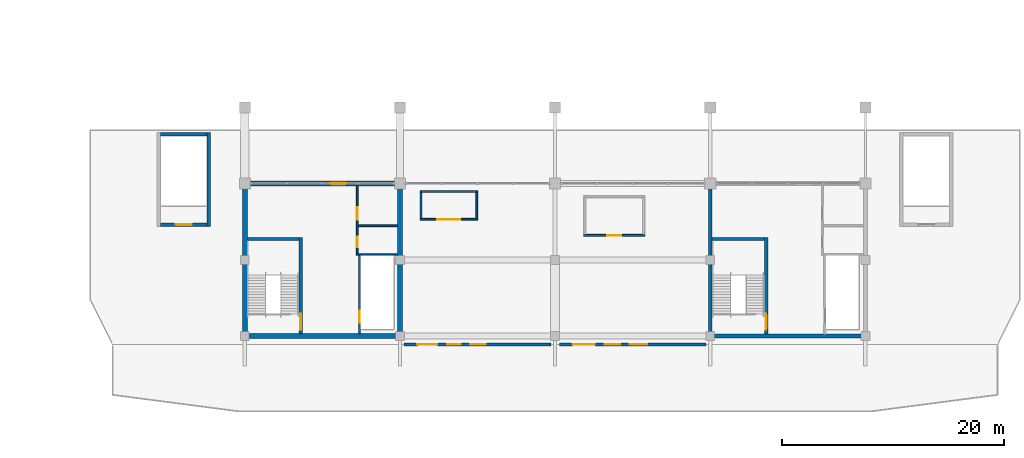
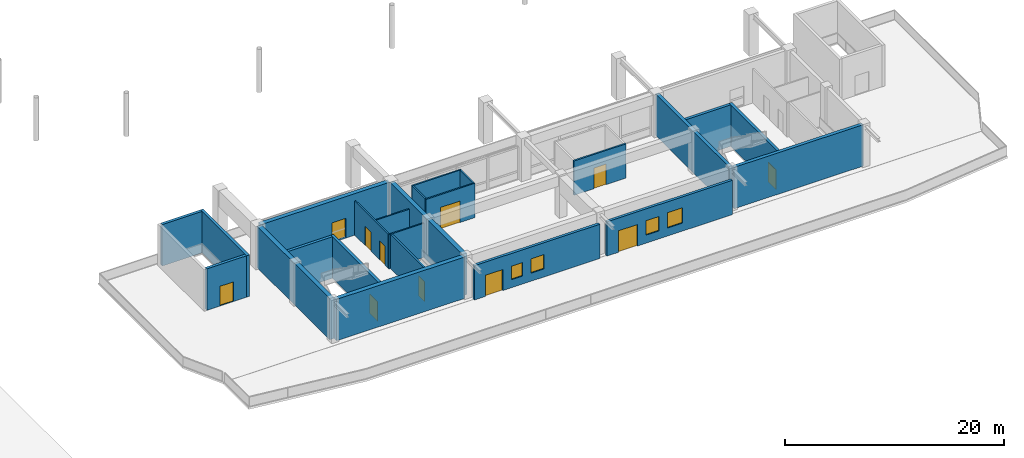
# One storey, part 64 of 91: 24 walls, 11 doors, 4 windows, 15 openings.
"""IFC4 building model written with IfcOpenShell, lengths in metres."""

import ifcopenshell
import ifcopenshell.guid

model = None  # the IFC model being written
_history = None  # IfcOwnerHistory: only IFC2X3 demands one
_inside = {}  # id of a spatial element -> (the spatial element, [elements in it])
_under = {}  # id of a project, library or spatial element -> (it, [spatial elements below it])
_declared = {}  # id of a project -> (the project, [libraries it declares])
_typed = {}  # id of a type object -> (the type object, [elements of that type])
_made_of = {}  # id of a material, layer set ... -> (it, [elements and type objects made of it])


def new_model(schema):
    """Start an empty IFC model of exactly this schema.

    Asked for "IFC4X3", IfcOpenShell would pick the latest addendum, in which some entities
    have other attributes; the version numbers below select the first issue.
    IFC2X3 requires an IfcOwnerHistory on every rooted entity: one is made here for all.
    """
    global model, _history
    if schema == "IFC4X3":
        model = ifcopenshell.file(schema_version=(4, 3, 0, 0))
    else:
        model = ifcopenshell.file(schema=schema)
    _inside.clear()
    _under.clear()
    _declared.clear()
    _typed.clear()
    _made_of.clear()
    _history = None
    if model.schema == "IFC2X3":
        org = make("IfcOrganization", Name="unknown")
        user = make(
            "IfcPersonAndOrganization",
            ThePerson=make("IfcPerson", FamilyName="unknown"),
            TheOrganization=org,
        )
        app = make(
            "IfcApplication",
            ApplicationDeveloper=org,
            Version="unknown",
            ApplicationFullName="unknown",
            ApplicationIdentifier="unknown",
        )
        _history = make(
            "IfcOwnerHistory",
            OwningUser=user,
            OwningApplication=app,
            ChangeAction="ADDED",
            CreationDate=0,
        )
    return model


def make(cls, **values):
    """One entity of the class cls with the attributes given. An attribute that is None is left unset."""
    return model.create_entity(
        cls, **{name: value for name, value in values.items() if value is not None}
    )


def rooted(cls, **values):
    """An entity with a GlobalId (a new one), such as an element, a storey or a relation."""
    return make(cls, GlobalId=ifcopenshell.guid.new(), OwnerHistory=_history, **values)


def si_unit(unit_type, name, prefix=None):
    """IfcSIUnit, for example si_unit("LENGTHUNIT", "METRE", prefix="MILLI")."""
    return make("IfcSIUnit", UnitType=unit_type, Prefix=prefix, Name=name)


def assignment(units):
    """IfcUnitAssignment: the units of a project."""
    return None if units is None else make("IfcUnitAssignment", Units=units)


def point(xyz):
    """IfcCartesianPoint."""
    return None if xyz is None else make("IfcCartesianPoint", Coordinates=xyz)


def direction(xyz):
    """IfcDirection."""
    return None if xyz is None else make("IfcDirection", DirectionRatios=xyz)


def frame(location, z_axis=None, x_axis=None):
    """IfcAxis2Placement3D, a coordinate frame: its origin and axes. An axis left out is left unset."""
    return make(
        "IfcAxis2Placement3D",
        Location=point(location),
        Axis=direction(z_axis),
        RefDirection=direction(x_axis),
    )


def frame_2d(location, x_axis=None):
    """IfcAxis2Placement2D, a coordinate frame in the plane: its origin and x axis."""
    return make(
        "IfcAxis2Placement2D", Location=point(location), RefDirection=direction(x_axis)
    )


def origin():
    """The frame at (0, 0, 0) with its axes left unset."""
    return frame((0.0, 0.0, 0.0))


def place(relative_to, where):
    """IfcLocalPlacement: puts the frame where relative to a parent placement (None: the world)."""
    return make(
        "IfcLocalPlacement", PlacementRelTo=relative_to, RelativePlacement=where
    )


def context(
    kind, dimensions, precision=None, world=None, true_north=None, identifier=None
):
    """IfcGeometricRepresentationContext, for example the 3D "Model" context."""
    return make(
        "IfcGeometricRepresentationContext",
        ContextIdentifier=identifier,
        ContextType=kind,
        CoordinateSpaceDimension=dimensions,
        Precision=precision,
        WorldCoordinateSystem=world,
        TrueNorth=true_north,
    )


def subcontext(parent, identifier, kind, view, scale=None):
    """IfcGeometricRepresentationSubContext, for example "Body" below "Model"."""
    return make(
        "IfcGeometricRepresentationSubContext",
        ContextIdentifier=identifier,
        ContextType=kind,
        ParentContext=parent,
        TargetScale=scale,
        TargetView=view,
    )


def project(units=None, contexts=None):
    """IfcProject with its units and contexts."""
    return rooted(
        "IfcProject",
        Name="project",
        RepresentationContexts=contexts,
        UnitsInContext=assignment(units),
    )


def spatial(cls, under=None, at=None, **own):
    """A site, building, storey or space (cls), placed at a placement, below another one or the project."""
    s = rooted(cls, ObjectPlacement=at, **own)
    if under is not None:
        _under.setdefault(under.id(), (under, []))[1].append(s)
    return s


def profile(cls, at=None, kind="AREA", **sizes):
    """A parametric profile (cls). Its sizes go by their IFC names, for example OverallWidth=200.0."""
    return make(cls, ProfileType=kind, Position=at, **sizes)


def rectangle(**sizes):
    """IfcRectangleProfileDef."""
    return profile("IfcRectangleProfileDef", **sizes)


def extrude(swept, where, along, depth):
    """IfcExtrudedAreaSolid: the profile swept, set in the frame where, extruded along a direction by depth."""
    return make(
        "IfcExtrudedAreaSolid",
        SweptArea=swept,
        Position=where,
        ExtrudedDirection=direction(along),
        Depth=depth,
    )


def shape(context_of_items, identifier, shape_type, items):
    """IfcShapeRepresentation: the items that make up one representation, for example the "Body"."""
    return make(
        "IfcShapeRepresentation",
        ContextOfItems=context_of_items,
        RepresentationIdentifier=identifier,
        RepresentationType=shape_type,
        Items=items,
    )


def material(Name=None, Category=None):
    """IfcMaterial."""
    return make("IfcMaterial", Name=Name, Category=Category)


def layer(
    of_material, thickness, ventilated=None, Name=None, Category=None, Priority=None
):
    """IfcMaterialLayer: one layer of a wall or slab, of a material (None: an air gap)."""
    return make(
        "IfcMaterialLayer",
        Material=of_material,
        LayerThickness=thickness,
        IsVentilated=ventilated,
        Name=Name,
        Category=Category,
        Priority=Priority,
    )


def layer_set(layers, Name=None):
    """IfcMaterialLayerSet."""
    return make("IfcMaterialLayerSet", MaterialLayers=layers, LayerSetName=Name)


def made_of(thing, what):
    """Note that an element or type object is made of a material, layer set ...; save() writes the relation."""
    if what is not None:
        _made_of.setdefault(what.id(), (what, []))[1].append(thing)
    return thing


def type_object(cls, material=None, **own):
    """A type object (cls), such as IfcWallType, which elements share."""
    return made_of(rooted(cls, **own), material)


def element(
    cls,
    number,
    at=None,
    inside=None,
    cuts=None,
    type_object=None,
    material=None,
    context=None,
    identifier="Body",
    shape_type=None,
    held_by="IfcProductDefinitionShape",
    body=None,
    shapes=None,
    **own,
):
    """One element of the class cls, such as IfcWall. Its Tag is "e" and its number.

    at: its placement. inside: the storey or other place that contains it. cuts: it is an
    opening in that element (IfcRelVoidsElement). A single representation is given by context,
    identifier, shape_type and body (its items); several are given by shapes. held_by: the class
    of the entity that holds the representations. save() writes the other relations.
    """
    e = rooted(cls, Tag="e%d" % number, ObjectPlacement=at, **own)
    if body is not None:
        shapes = [shape(context, identifier, shape_type, body)]
    if shapes is not None:
        e.Representation = make(held_by, Representations=shapes)
    if inside is not None:
        _inside.setdefault(inside.id(), (inside, []))[1].append(e)
    if cuts is not None:
        rooted(
            "IfcRelVoidsElement", RelatingBuildingElement=cuts, RelatedOpeningElement=e
        )
    if type_object is not None:
        _typed.setdefault(type_object.id(), (type_object, []))[1].append(e)
    return made_of(e, material)


def fill(opening, filler):
    """IfcRelFillsElement: the door or window that sits in an opening."""
    return rooted(
        "IfcRelFillsElement",
        RelatingOpeningElement=opening,
        RelatedBuildingElement=filler,
    )


def aggregate(whole, parts):
    """IfcRelAggregates: a whole, such as a stair, and the parts it consists of."""
    return rooted("IfcRelAggregates", RelatingObject=whole, RelatedObjects=parts)


def save(model, path):
    """Write the relations noted so far, then the file.

    IfcRelAggregates (storeys below a building ...), IfcRelContainedInSpatialStructure (elements
    in a storey), IfcRelDefinesByType, IfcRelAssociatesMaterial and IfcRelDeclares: one each for
    every whole, place, type object, material and project.
    """
    for whole, parts in _under.values():
        aggregate(whole, parts)
    for where, things in _inside.values():
        rooted(
            "IfcRelContainedInSpatialStructure",
            RelatedElements=things,
            RelatingStructure=where,
        )
    for kind, things in _typed.values():
        rooted("IfcRelDefinesByType", RelatedObjects=things, RelatingType=kind)
    for what, things in _made_of.values():
        rooted("IfcRelAssociatesMaterial", RelatedObjects=things, RelatingMaterial=what)
    for by, libraries in _declared.values():
        rooted("IfcRelDeclares", RelatingContext=by, RelatedDefinitions=libraries)
    model.write(path)


model = new_model("IFC4")

# Units and contexts
model_context = context("Model", 3, precision=1e-05, world=origin(), true_north=direction((0.0, 1.0)))
body_context = subcontext(model_context, "Body", "Model", "MODEL_VIEW")
ifc_project = project(units=[si_unit("LENGTHUNIT", "METRE"), si_unit("AREAUNIT", "SQUARE_METRE"), si_unit("VOLUMEUNIT", "CUBIC_METRE"), si_unit("PLANEANGLEUNIT", "RADIAN"), si_unit("MASSUNIT", "GRAM", prefix="KILO")], contexts=[model_context])

# Site, building, storey
site_placement = place(None, origin())
site = spatial("IfcSite", under=ifc_project, at=site_placement, CompositionType="ELEMENT")
building_placement = place(site_placement, origin())
building = spatial("IfcBuilding", under=site, at=building_placement, Name="Linyun Crest Stadium", CompositionType="ELEMENT")
storey_placement = place(building_placement, frame((0.0, 0.0, 11.39990234375)))
storey = spatial("IfcBuildingStorey", under=building, at=storey_placement, Name="L03", CompositionType="ELEMENT", Elevation=11.39990234375)

# Walls
ifc_material_1 = material(Name="Concrete C50", Category="concrete")
ifc_layer_1 = layer(ifc_material_1, 0.35009765625)
ifc_layer_set_1 = layer_set([ifc_layer_1], Name="Concrete C50")
wall_type_1 = type_object("IfcWallType", Name="CW01", PredefinedType="SHEAR", material=ifc_layer_set_1)
wall_1_placement = place(storey_placement, frame((14.0, -87.074951171875, 0.0), z_axis=(0.0, 0.0, 1.0), x_axis=(0.0, 1.0, 0.0)))
element("IfcWall", 1, at=wall_1_placement, inside=storey, type_object=wall_type_1, Name="Core shear wall CW01 CORE-S2 L03.1", PredefinedType="SHEAR", context=body_context, shape_type="SweptSolid", body=[
    extrude(rectangle(XDim=13.39990234375, YDim=0.35009765625, at=frame_2d((6.699951171875, 0.0))), origin(), (0.0, 0.0, 1.0), 4.6201171875),
])
wall_2_placement = place(storey_placement, frame((14.175048828125, -87.25, 0.0), z_axis=(0.0, 0.0, 1.0), x_axis=(1.0, 0.0, 0.0)))
element("IfcWall", 2, at=wall_2_placement, inside=storey, type_object=wall_type_1, Name="Core shear wall CW01 CORE-S2 L03.3", PredefinedType="SHEAR", context=body_context, shape_type="SweptSolid", body=[
    extrude(rectangle(XDim=13.64990234375, YDim=0.35009765625, at=frame_2d((6.824951171875, 0.0))), origin(), (0.0, 0.0, 1.0), 4.6201171875),
])
ifc_material_2 = material(Name="Concrete C50", Category="concrete")
ifc_layer_2 = layer(ifc_material_2, 0.449951171875)
ifc_layer_set_2 = layer_set([ifc_layer_2], Name="Concrete C50")
wall_type_2 = type_object("IfcWallType", Name="CW03", PredefinedType="SHEAR", material=ifc_layer_set_2)
for number, where, z_axis, x_axis, name in (
    (3, (-28.0, -87.02490234375, 0.0), (0.0, 0.0, 1.0), (0.0, 1.0, 0.0), "Core shear wall CW03 CORE-S1 L03.1"),
    (4, (-14.0, -87.02490234375, 0.0), (0.0, 0.0, 1.0), (0.0, 1.0, 0.0), "Core shear wall CW03 CORE-S1 L03.2"),
):
    element("IfcWall", number, at=place(storey_placement, frame(where, z_axis=z_axis, x_axis=x_axis)), inside=storey, type_object=wall_type_2, Name=name, PredefinedType="SHEAR", context=body_context, shape_type="SweptSolid", body=[
        extrude(rectangle(XDim=13.2998046875, YDim=0.449951171875, at=frame_2d((6.64990234375, 0.0))), origin(), (0.0, 0.0, 1.0), 4.6201171875),
    ])
wall_3_placement = place(storey_placement, frame((-27.77490234375, -87.25, 0.0), z_axis=(0.0, 0.0, 1.0), x_axis=(1.0, 0.0, 0.0)))
element("IfcWall", 5, at=wall_3_placement, inside=storey, type_object=wall_type_2, Name="Core shear wall CW03 CORE-S1 L03.3", PredefinedType="SHEAR", context=body_context, shape_type="SweptSolid", body=[
    extrude(rectangle(XDim=13.5498046875, YDim=0.449951171875, at=frame_2d((6.77490234375, 0.0))), origin(), (0.0, 0.0, 1.0), 4.6201171875),
])

# Wall, opening, door
wall_4_placement = place(storey_placement, frame((-27.77490234375, -73.5, 0.0), z_axis=(0.0, 0.0, 1.0), x_axis=(1.0, 0.0, 0.0)))
wall_4 = element("IfcWall", 6, at=wall_4_placement, inside=storey, type_object=wall_type_2, Name="Core shear wall CW03 CORE-S1 L03.4", PredefinedType="SHEAR", context=body_context, shape_type="SweptSolid", body=[
    extrude(rectangle(XDim=13.5498046875, YDim=0.449951171875, at=frame_2d((6.77490234375, 0.0))), origin(), (0.0, 0.0, 1.0), 4.6201171875),
])
opening_1_placement = place(wall_4_placement, frame((7.451904296875, 0.0, 0.0)))
opening_1 = element("IfcOpeningElement", 7, at=opening_1_placement, cuts=wall_4, Name="Opening D-L03-331", PredefinedType="OPENING", context=body_context, shape_type="SweptSolid", body=[
    extrude(rectangle(XDim=1.5, YDim=2.199951171875, at=frame_2d((0.75, 1.10009765625))), frame((0.0, 0.23486328125, 0.0), z_axis=(0.0, -1.0, 0.0), x_axis=(1.0, 0.0, 0.0)), (0.0, 0.0, 1.0), 0.469970703125),
])
ifc_material_3 = material(Name="Galvanized steel Class A fire door", Category="steel")
ifc_layer_3 = layer(ifc_material_3, 0.054931640625)
ifc_layer_set_3 = layer_set([ifc_layer_3], Name="Galvanized steel Class A fire door")
door_type_1 = type_object("IfcDoorType", Name="FD01", OperationType="NOTDEFINED", PredefinedType="DOOR", material=ifc_layer_set_3)
door_1_placement = place(opening_1_placement, origin())
door_1 = element("IfcDoor", 8, at=door_1_placement, inside=storey, type_object=door_type_1, Name="Door D-L03-331", OperationType="SINGLE_SWING_LEFT", OverallHeight=2.199951171875, OverallWidth=1.5, PredefinedType="DOOR", context=body_context, shape_type="SweptSolid", body=[
    extrude(rectangle(XDim=1.5, YDim=2.199951171875, at=frame_2d((0.75, 1.10009765625))), frame((0.0, 0.02490234375, 0.0), z_axis=(0.0, -1.0, 0.0), x_axis=(1.0, 0.0, 0.0)), (0.0, 0.0, 1.0), 0.050048828125),
])
fill(opening_1, door_1)

# Wall, openings, door, windows
ifc_material_4 = material(Name="Concrete C40 with celadon ceramic faience", Category="concrete")
ifc_layer_4 = layer(ifc_material_4, 0.280029296875)
ifc_layer_set_4 = layer_set([ifc_layer_4], Name="Concrete C40 with celadon ceramic faience")
wall_type_3 = type_object("IfcWallType", Name="EW03", PredefinedType="SOLIDWALL", material=ifc_layer_set_4)
wall_5_placement = place(storey_placement, frame((-13.6201171875, -88.0, 0.0), z_axis=(0.0, 0.0, 1.0), x_axis=(1.0, 0.0, 0.0)))
wall_5 = element("IfcWall", 9, at=wall_5_placement, inside=storey, type_object=wall_type_3, Name="Exterior wall EW03 L03 62", PredefinedType="SOLIDWALL", context=body_context, shape_type="SweptSolid", body=[
    extrude(rectangle(XDim=13.240234375, YDim=0.280029296875, at=frame_2d((6.6201171875, 0.0))), origin(), (0.0, 0.0, 1.0), 3.820068359375),
])
opening_2_placement = place(wall_5_placement, frame((1.199951171875, 0.0, 0.0)))
opening_2 = element("IfcOpeningElement", 10, at=opening_2_placement, cuts=wall_5, Name="Opening BD-L03-01", PredefinedType="OPENING", context=body_context, shape_type="SweptSolid", body=[
    extrude(rectangle(XDim=1.800048828125, YDim=2.35009765625, at=frame_2d((0.89990234375, 1.175048828125))), frame((0.0, 0.14990234375, 0.0), z_axis=(0.0, -1.0, 0.0), x_axis=(1.0, 0.0, 0.0)), (0.0, 0.0, 1.0), 0.300048828125),
])
opening_3_placement = place(wall_5_placement, frame((3.89990234375, 0.0, 0.89990234375)))
opening_3 = element("IfcOpeningElement", 11, at=opening_3_placement, cuts=wall_5, Name="Opening WN07", PredefinedType="OPENING", context=body_context, shape_type="SweptSolid", body=[
    extrude(rectangle(XDim=1.199951171875, YDim=1.5, at=frame_2d((0.60009765625, 0.75))), frame((0.0, 0.14990234375, 0.0), z_axis=(0.0, -1.0, 0.0), x_axis=(1.0, 0.0, 0.0)), (0.0, 0.0, 1.0), 0.300048828125),
])
opening_4_placement = place(wall_5_placement, frame((5.949951171875, 0.0, 0.89990234375)))
opening_4 = element("IfcOpeningElement", 12, at=opening_4_placement, cuts=wall_5, Name="Opening WN08", PredefinedType="OPENING", context=body_context, shape_type="SweptSolid", body=[
    extrude(rectangle(XDim=1.39990234375, YDim=1.60009765625, at=frame_2d((0.699951171875, 0.800048828125))), frame((0.0, 0.14990234375, 0.0), z_axis=(0.0, -1.0, 0.0), x_axis=(1.0, 0.0, 0.0)), (0.0, 0.0, 1.0), 0.300048828125),
])
ifc_material_5 = material(Name="Thermally broken aluminium and low-E glass", Category="aluminium")
ifc_layer_5 = layer(ifc_material_5, 0.054931640625)
ifc_layer_set_5 = layer_set([ifc_layer_5], Name="Thermally broken aluminium and low-E glass")
door_type_2 = type_object("IfcDoorType", Name="BD01", OperationType="NOTDEFINED", PredefinedType="DOOR", material=ifc_layer_set_5)
door_2_placement = place(opening_2_placement, origin())
door_2 = element("IfcDoor", 13, at=door_2_placement, inside=storey, type_object=door_type_2, Name="Terrace door BD-L03-01", OperationType="SINGLE_SWING_LEFT", OverallHeight=2.35009765625, OverallWidth=1.800048828125, PredefinedType="DOOR", context=body_context, shape_type="SweptSolid", body=[
    extrude(rectangle(XDim=1.800048828125, YDim=2.35009765625, at=frame_2d((0.89990234375, 1.175048828125))), frame((0.0, 0.02490234375, 0.0), z_axis=(0.0, -1.0, 0.0), x_axis=(1.0, 0.0, 0.0)), (0.0, 0.0, 1.0), 0.050048828125),
])
fill(opening_2, door_2)
ifc_material_6 = material(Name="Aluminium operable ventilation window", Category="aluminium")
ifc_layer_6 = layer(ifc_material_6, 0.06005859375)
ifc_layer_set_6 = layer_set([ifc_layer_6], Name="Aluminium operable ventilation window")
window_type_1 = type_object("IfcWindowType", Name="WN07", PartitioningType="SINGLE_PANEL", PredefinedType="WINDOW", material=ifc_layer_set_6)
window_1_placement = place(opening_3_placement, origin())
window_1 = element("IfcWindow", 14, at=window_1_placement, inside=storey, type_object=window_type_1, Name="Window WN07 L03 33", OverallHeight=1.5, OverallWidth=1.199951171875, PartitioningType="SINGLE_PANEL", PredefinedType="WINDOW", context=body_context, shape_type="SweptSolid", body=[
    extrude(rectangle(XDim=1.199951171875, YDim=1.5, at=frame_2d((0.60009765625, 0.75))), frame((0.0, 0.030029296875, 0.0), z_axis=(0.0, -1.0, 0.0), x_axis=(1.0, 0.0, 0.0)), (0.0, 0.0, 1.0), 0.06005859375),
])
fill(opening_3, window_1)
ifc_material_7 = material(Name="Aluminium operable ventilation window", Category="aluminium")
ifc_layer_7 = layer(ifc_material_7, 0.06005859375)
ifc_layer_set_7 = layer_set([ifc_layer_7], Name="Aluminium operable ventilation window")
window_type_2 = type_object("IfcWindowType", Name="WN08", PartitioningType="SINGLE_PANEL", PredefinedType="WINDOW", material=ifc_layer_set_7)
window_2_placement = place(opening_4_placement, origin())
window_2 = element("IfcWindow", 15, at=window_2_placement, inside=storey, type_object=window_type_2, Name="Window WN08 L03 34", OverallHeight=1.60009765625, OverallWidth=1.39990234375, PartitioningType="SINGLE_PANEL", PredefinedType="WINDOW", context=body_context, shape_type="SweptSolid", body=[
    extrude(rectangle(XDim=1.39990234375, YDim=1.60009765625, at=frame_2d((0.699951171875, 0.800048828125))), frame((0.0, 0.030029296875, 0.0), z_axis=(0.0, -1.0, 0.0), x_axis=(1.0, 0.0, 0.0)), (0.0, 0.0, 1.0), 0.06005859375),
])
fill(opening_4, window_2)

wall_6_placement = place(storey_placement, frame((0.3798828125, -88.0, 0.0), z_axis=(0.0, 0.0, 1.0), x_axis=(1.0, 0.0, 0.0)))
wall_6 = element("IfcWall", 16, at=wall_6_placement, inside=storey, type_object=wall_type_3, Name="Exterior wall EW03 L03 63", PredefinedType="SOLIDWALL", context=body_context, shape_type="SweptSolid", body=[
    extrude(rectangle(XDim=13.240234375, YDim=0.280029296875, at=frame_2d((6.6201171875, 0.0))), origin(), (0.0, 0.0, 1.0), 3.820068359375),
])
opening_5_placement = place(wall_6_placement, frame((1.199951171875, 0.0, 0.0)))
opening_5 = element("IfcOpeningElement", 17, at=opening_5_placement, cuts=wall_6, Name="Opening BD-L03-02", PredefinedType="OPENING", context=body_context, shape_type="SweptSolid", body=[
    extrude(rectangle(XDim=2.0, YDim=2.39990234375, at=frame_2d((1.0, 1.199951171875))), frame((0.0, 0.14990234375, 0.0), z_axis=(0.0, -1.0, 0.0), x_axis=(1.0, 0.0, 0.0)), (0.0, 0.0, 1.0), 0.300048828125),
])
opening_6_placement = place(wall_6_placement, frame((4.10009765625, 0.0, 0.89990234375)))
opening_6 = element("IfcOpeningElement", 18, at=opening_6_placement, cuts=wall_6, Name="Opening WN08", PredefinedType="OPENING", context=body_context, shape_type="SweptSolid", body=[
    extrude(rectangle(XDim=1.39990234375, YDim=1.60009765625, at=frame_2d((0.699951171875, 0.800048828125))), frame((0.0, 0.14990234375, 0.0), z_axis=(0.0, -1.0, 0.0), x_axis=(1.0, 0.0, 0.0)), (0.0, 0.0, 1.0), 0.300048828125),
])
opening_7_placement = place(wall_6_placement, frame((6.35009765625, 0.0, 0.89990234375)))
opening_7 = element("IfcOpeningElement", 19, at=opening_7_placement, cuts=wall_6, Name="Opening WN09", PredefinedType="OPENING", context=body_context, shape_type="SweptSolid", body=[
    extrude(rectangle(XDim=1.60009765625, YDim=1.699951171875, at=frame_2d((0.800048828125, 0.85009765625))), frame((0.0, 0.14990234375, 0.0), z_axis=(0.0, -1.0, 0.0), x_axis=(1.0, 0.0, 0.0)), (0.0, 0.0, 1.0), 0.300048828125),
])
ifc_material_8 = material(Name="Thermally broken aluminium and low-E glass", Category="aluminium")
ifc_layer_8 = layer(ifc_material_8, 0.054931640625)
ifc_layer_set_8 = layer_set([ifc_layer_8], Name="Thermally broken aluminium and low-E glass")
door_type_3 = type_object("IfcDoorType", Name="BD02", OperationType="NOTDEFINED", PredefinedType="DOOR", material=ifc_layer_set_8)
door_3_placement = place(opening_5_placement, origin())
door_3 = element("IfcDoor", 20, at=door_3_placement, inside=storey, type_object=door_type_3, Name="Terrace door BD-L03-02", OperationType="SINGLE_SWING_RIGHT", OverallHeight=2.39990234375, OverallWidth=2.0, PredefinedType="DOOR", context=body_context, shape_type="SweptSolid", body=[
    extrude(rectangle(XDim=2.0, YDim=2.39990234375, at=frame_2d((1.0, 1.199951171875))), frame((0.0, 0.02490234375, 0.0), z_axis=(0.0, -1.0, 0.0), x_axis=(1.0, 0.0, 0.0)), (0.0, 0.0, 1.0), 0.050048828125),
])
fill(opening_5, door_3)
window_3_placement = place(opening_6_placement, origin())
window_3 = element("IfcWindow", 21, at=window_3_placement, inside=storey, type_object=window_type_2, Name="Window WN08 L03 35", OverallHeight=1.60009765625, OverallWidth=1.39990234375, PartitioningType="SINGLE_PANEL", PredefinedType="WINDOW", context=body_context, shape_type="SweptSolid", body=[
    extrude(rectangle(XDim=1.39990234375, YDim=1.60009765625, at=frame_2d((0.699951171875, 0.800048828125))), frame((0.0, 0.030029296875, 0.0), z_axis=(0.0, -1.0, 0.0), x_axis=(1.0, 0.0, 0.0)), (0.0, 0.0, 1.0), 0.06005859375),
])
fill(opening_6, window_3)
ifc_material_9 = material(Name="Aluminium operable ventilation window", Category="aluminium")
ifc_layer_9 = layer(ifc_material_9, 0.06005859375)
ifc_layer_set_9 = layer_set([ifc_layer_9], Name="Aluminium operable ventilation window")
window_type_3 = type_object("IfcWindowType", Name="WN09", PartitioningType="SINGLE_PANEL", PredefinedType="WINDOW", material=ifc_layer_set_9)
window_4_placement = place(opening_7_placement, origin())
window_4 = element("IfcWindow", 22, at=window_4_placement, inside=storey, type_object=window_type_3, Name="Window WN09 L03 36", OverallHeight=1.699951171875, OverallWidth=1.60009765625, PartitioningType="SINGLE_PANEL", PredefinedType="WINDOW", context=body_context, shape_type="SweptSolid", body=[
    extrude(rectangle(XDim=1.60009765625, YDim=1.699951171875, at=frame_2d((0.800048828125, 0.85009765625))), frame((0.0, 0.030029296875, 0.0), z_axis=(0.0, -1.0, 0.0), x_axis=(1.0, 0.0, 0.0)), (0.0, 0.0, 1.0), 0.06005859375),
])
fill(opening_7, window_4)

# Wall, opening, door
ifc_material_10 = material(Name="Autoclaved aerated concrete block fire partition", Category="concrete")
ifc_layer_10 = layer(ifc_material_10, 0.179931640625)
ifc_layer_set_10 = layer_set([ifc_layer_10], Name="Autoclaved aerated concrete block fire partition")
wall_type_4 = type_object("IfcWallType", Name="PW12", PredefinedType="PARTITIONING", material=ifc_layer_set_10)
wall_7_placement = place(storey_placement, frame((-17.64990234375, -87.02490234375, 0.0), z_axis=(0.0, 0.0, 1.0), x_axis=(0.0, 1.0, 0.0)))
wall_7 = element("IfcWall", 23, at=wall_7_placement, inside=storey, type_object=wall_type_4, Name="Partition PW12 L03 117", PredefinedType="PARTITIONING", context=body_context, shape_type="SweptSolid", body=[
    extrude(rectangle(XDim=7.054931640625, YDim=0.179931640625, at=frame_2d((3.52734375, 0.0))), origin(), (0.0, 0.0, 1.0), 3.820068359375),
])
opening_8_placement = place(wall_7_placement, frame((0.97509765625, 0.0, 0.0)))
opening_8 = element("IfcOpeningElement", 24, at=opening_8_placement, cuts=wall_7, Name="Opening LD100", PredefinedType="OPENING", context=body_context, shape_type="SweptSolid", body=[
    extrude(rectangle(XDim=1.10009765625, YDim=2.199951171875, at=frame_2d((0.550048828125, 1.10009765625))), frame((0.0, 0.099853515625, 0.0), z_axis=(0.0, -1.0, 0.0), x_axis=(1.0, 0.0, 0.0)), (0.0, 0.0, 1.0), 0.199951171875),
])
ifc_material_11 = material(Name="Brushed stainless sliding lift door")
ifc_layer_11 = layer(ifc_material_11, 0.050048828125)
ifc_layer_set_11 = layer_set([ifc_layer_11], Name="Brushed stainless sliding lift door")
door_type_4 = type_object("IfcDoorType", Name="LD01", OperationType="NOTDEFINED", PredefinedType="DOOR", material=ifc_layer_set_11)
door_4_placement = place(opening_8_placement, origin())
door_4 = element("IfcDoor", 25, at=door_4_placement, inside=storey, type_object=door_type_4, Name="Lift landing door LD100", OperationType="DOUBLE_DOOR_SLIDING", OverallHeight=2.199951171875, OverallWidth=1.10009765625, PredefinedType="DOOR", context=body_context, shape_type="SweptSolid", body=[
    extrude(rectangle(XDim=1.10009765625, YDim=2.199951171875, at=frame_2d((0.550048828125, 1.10009765625))), frame((0.0, 0.02490234375, 0.0), z_axis=(0.0, -1.0, 0.0), x_axis=(1.0, 0.0, 0.0)), (0.0, 0.0, 1.0), 0.050048828125),
])
fill(opening_8, door_4)

# Wall, openings, doors
ifc_material_12 = material(Name="Moisture-resistant ceramic-tiled wet-room wall")
ifc_layer_12 = layer(ifc_material_12, 0.139892578125)
ifc_layer_set_12 = layer_set([ifc_layer_12], Name="Moisture-resistant ceramic-tiled wet-room wall")
wall_type_5 = type_object("IfcWallType", Name="PW15", PredefinedType="PARTITIONING", material=ifc_layer_set_12)
wall_8_placement = place(storey_placement, frame((-17.85009765625, -79.830078125, 0.0), z_axis=(0.0, 0.0, 1.0), x_axis=(0.0, 1.0, 0.0)))
wall_8 = element("IfcWall", 26, at=wall_8_placement, inside=storey, type_object=wall_type_5, Name="Partition PW15 L03 118", PredefinedType="PARTITIONING", context=body_context, shape_type="SweptSolid", body=[
    extrude(rectangle(XDim=6.10498046875, YDim=0.139892578125, at=frame_2d((3.052490234375, 0.0))), origin(), (0.0, 0.0, 1.0), 3.820068359375),
])
opening_9_placement = place(wall_8_placement, frame((0.580078125, 0.0, 0.0)))
opening_9 = element("IfcOpeningElement", 27, at=opening_9_placement, cuts=wall_8, Name="Opening D-L03-334", PredefinedType="OPENING", context=body_context, shape_type="SweptSolid", body=[
    extrude(rectangle(XDim=0.949951171875, YDim=2.14990234375, at=frame_2d((0.47509765625, 1.074951171875))), frame((0.0, 0.079833984375, 0.0), z_axis=(0.0, -1.0, 0.0), x_axis=(1.0, 0.0, 0.0)), (0.0, 0.0, 1.0), 0.159912109375),
])
opening_10_placement = place(wall_8_placement, frame((3.080078125, 0.0, 0.0)))
opening_10 = element("IfcOpeningElement", 28, at=opening_10_placement, cuts=wall_8, Name="Opening D-L03-335", PredefinedType="OPENING", context=body_context, shape_type="SweptSolid", body=[
    extrude(rectangle(XDim=1.10009765625, YDim=2.14990234375, at=frame_2d((0.550048828125, 1.074951171875))), frame((0.0, 0.079833984375, 0.0), z_axis=(0.0, -1.0, 0.0), x_axis=(1.0, 0.0, 0.0)), (0.0, 0.0, 1.0), 0.159912109375),
])
ifc_material_13 = material(Name="Moisture-resistant laminate leaf")
ifc_layer_13 = layer(ifc_material_13, 0.044921875)
ifc_layer_set_13 = layer_set([ifc_layer_13], Name="Moisture-resistant laminate leaf")
door_type_5 = type_object("IfcDoorType", Name="ID02", OperationType="NOTDEFINED", PredefinedType="DOOR", material=ifc_layer_set_13)
door_5_placement = place(opening_9_placement, origin())
door_5 = element("IfcDoor", 29, at=door_5_placement, inside=storey, type_object=door_type_5, Name="Door D-L03-334", OperationType="SINGLE_SWING_RIGHT", OverallHeight=2.14990234375, OverallWidth=0.949951171875, PredefinedType="DOOR", context=body_context, shape_type="SweptSolid", body=[
    extrude(rectangle(XDim=0.949951171875, YDim=2.14990234375, at=frame_2d((0.47509765625, 1.074951171875))), frame((0.0, 0.02490234375, 0.0), z_axis=(0.0, -1.0, 0.0), x_axis=(1.0, 0.0, 0.0)), (0.0, 0.0, 1.0), 0.050048828125),
])
fill(opening_9, door_5)
ifc_material_14 = material(Name="Moisture-resistant laminate leaf")
ifc_layer_14 = layer(ifc_material_14, 0.044921875)
ifc_layer_set_14 = layer_set([ifc_layer_14], Name="Moisture-resistant laminate leaf")
door_type_6 = type_object("IfcDoorType", Name="ID03", OperationType="NOTDEFINED", PredefinedType="DOOR", material=ifc_layer_set_14)
door_6_placement = place(opening_10_placement, origin())
door_6 = element("IfcDoor", 30, at=door_6_placement, inside=storey, type_object=door_type_6, Name="Door D-L03-335", OperationType="SINGLE_SWING_LEFT", OverallHeight=2.14990234375, OverallWidth=1.10009765625, PredefinedType="DOOR", context=body_context, shape_type="SweptSolid", body=[
    extrude(rectangle(XDim=1.10009765625, YDim=2.14990234375, at=frame_2d((0.550048828125, 1.074951171875))), frame((0.0, 0.02490234375, 0.0), z_axis=(0.0, -1.0, 0.0), x_axis=(1.0, 0.0, 0.0)), (0.0, 0.0, 1.0), 0.050048828125),
])
fill(opening_10, door_6)

# Walls
wall_9_placement = place(storey_placement, frame((-17.919921875, -79.89990234375, 0.0), z_axis=(0.0, 0.0, 1.0), x_axis=(1.0, 0.0, 0.0)))
element("IfcWall", 31, at=wall_9_placement, inside=storey, type_object=wall_type_5, Name="Enclosure partition PW15 L03 109", PredefinedType="PARTITIONING", context=body_context, shape_type="SweptSolid", body=[
    extrude(rectangle(XDim=3.69482421875, YDim=0.139892578125, at=frame_2d((1.847412109375, 0.0))), origin(), (0.0, 0.0, 1.0), 3.820068359375),
])
wall_10_placement = place(storey_placement, frame((-17.780029296875, -77.300048828125, 0.0), z_axis=(0.0, 0.0, 1.0), x_axis=(1.0, 0.0, 0.0)))
element("IfcWall", 32, at=wall_10_placement, inside=storey, type_object=wall_type_5, Name="Enclosure partition PW15 L03 110", PredefinedType="PARTITIONING", context=body_context, shape_type="SweptSolid", body=[
    extrude(rectangle(XDim=3.554931640625, YDim=0.139892578125, at=frame_2d((1.77734375, 0.0))), origin(), (0.0, 0.0, 1.0), 3.820068359375),
])

# Wall, opening, door
ifc_material_15 = material(Name="Medical and doping-control hygienic partition")
ifc_layer_15 = layer(ifc_material_15, 0.155029296875)
ifc_layer_set_15 = layer_set([ifc_layer_15], Name="Medical and doping-control hygienic partition")
wall_type_6 = type_object("IfcWallType", Name="PW23", PredefinedType="PARTITIONING", material=ifc_layer_set_15)
wall_11_placement = place(storey_placement, frame((-6.9970703125, -76.717041015625, 0.0), z_axis=(0.0, 0.0, 1.0), x_axis=(-1.0, 0.0, 0.0)))
wall_11 = element("IfcWall", 33, at=wall_11_placement, inside=storey, type_object=wall_type_6, Name="Partition PW23 L03 212", PredefinedType="PARTITIONING", context=body_context, shape_type="SweptSolid", body=[
    extrude(rectangle(XDim=5.179931640625, YDim=0.155029296875, at=frame_2d((2.58984375, 0.0))), origin(), (0.0, 0.0, 1.0), 3.820068359375),
])
opening_11_placement = place(wall_11_placement, frame((1.56494140625, 0.0, 0.0)))
opening_11 = element("IfcOpeningElement", 34, at=opening_11_placement, cuts=wall_11, Name="Opening D-L03-475", PredefinedType="OPENING", context=body_context, shape_type="SweptSolid", body=[
    extrude(rectangle(XDim=2.050048828125, YDim=2.39990234375, at=frame_2d((1.02490234375, 1.199951171875))), frame((0.0, 0.08740234375, 0.0), z_axis=(0.0, -1.0, 0.0), x_axis=(1.0, 0.0, 0.0)), (0.0, 0.0, 1.0), 0.175048828125),
])
ifc_material_16 = material(Name="Double-leaf glazed aluminium door", Category="aluminium")
ifc_layer_16 = layer(ifc_material_16, 0.054931640625)
ifc_layer_set_16 = layer_set([ifc_layer_16], Name="Double-leaf glazed aluminium door")
door_type_7 = type_object("IfcDoorType", Name="ID07", OperationType="NOTDEFINED", PredefinedType="DOOR", material=ifc_layer_set_16)
door_7_placement = place(opening_11_placement, origin())
door_7 = element("IfcDoor", 35, at=door_7_placement, inside=storey, type_object=door_type_7, Name="Door D-L03-475", OperationType="DOUBLE_DOOR_SINGLE_SWING", OverallHeight=2.39990234375, OverallWidth=2.050048828125, PredefinedType="DOOR", context=body_context, shape_type="SweptSolid", body=[
    extrude(rectangle(XDim=2.050048828125, YDim=2.39990234375, at=frame_2d((1.02490234375, 1.199951171875))), frame((0.0, 0.02490234375, 0.0), z_axis=(0.0, -1.0, 0.0), x_axis=(1.0, 0.0, 0.0)), (0.0, 0.0, 1.0), 0.050048828125),
])
fill(opening_11, door_7)

# Walls
wall_12_placement = place(storey_placement, frame((-12.177001953125, -74.217041015625, 0.0), z_axis=(0.0, 0.0, 1.0), x_axis=(1.0, 0.0, 0.0)))
element("IfcWall", 36, at=wall_12_placement, inside=storey, type_object=wall_type_6, Name="Enclosure partition PW23 L03 352", PredefinedType="PARTITIONING", context=body_context, shape_type="SweptSolid", body=[
    extrude(rectangle(XDim=5.179931640625, YDim=0.155029296875, at=frame_2d((2.58984375, 0.0))), origin(), (0.0, 0.0, 1.0), 3.820068359375),
])
for number, where, z_axis, x_axis, name in (
    (37, (-12.09912109375, -76.638916015625, 0.0), (0.0, 0.0, 1.0), (0.0, 1.0, 0.0), "Enclosure partition PW23 L03 353"),
    (38, (-7.074951171875, -76.638916015625, 0.0), (0.0, 0.0, 1.0), (0.0, 1.0, 0.0), "Enclosure partition PW23 L03 354"),
):
    element("IfcWall", number, at=place(storey_placement, frame(where, z_axis=z_axis, x_axis=x_axis)), inside=storey, type_object=wall_type_6, Name=name, PredefinedType="PARTITIONING", context=body_context, shape_type="SweptSolid", body=[
        extrude(rectangle(XDim=2.343994140625, YDim=0.155029296875, at=frame_2d((1.171875, 0.0))), origin(), (0.0, 0.0, 1.0), 3.820068359375),
    ])

# Wall, opening, door
ifc_material_17 = material(Name="Concourse concession fire-rated masonry wall", Category="masonry")
ifc_layer_17 = layer(ifc_material_17, 0.175048828125)
ifc_layer_set_17 = layer_set([ifc_layer_17], Name="Concourse concession fire-rated masonry wall")
wall_type_7 = type_object("IfcWallType", Name="PW24", PredefinedType="PARTITIONING", material=ifc_layer_set_17)
wall_13_placement = place(storey_placement, frame((8.076904296875, -78.159912109375, 0.0), z_axis=(0.0, 0.0, 1.0), x_axis=(-1.0, 0.0, 0.0)))
wall_13 = element("IfcWall", 39, at=wall_13_placement, inside=storey, type_object=wall_type_7, Name="Partition PW24 L03 213", PredefinedType="PARTITIONING", context=body_context, shape_type="SweptSolid", body=[
    extrude(rectangle(XDim=5.469970703125, YDim=0.175048828125, at=frame_2d((2.73486328125, 0.0))), origin(), (0.0, 0.0, 1.0), 3.820068359375),
])
opening_12_placement = place(wall_13_placement, frame((2.0849609375, 0.0, 0.0)))
opening_12 = element("IfcOpeningElement", 40, at=opening_12_placement, cuts=wall_13, Name="Opening D-L03-476", PredefinedType="OPENING", context=body_context, shape_type="SweptSolid", body=[
    extrude(rectangle(XDim=1.300048828125, YDim=2.300048828125, at=frame_2d((0.64990234375, 1.14990234375))), frame((0.0, 0.097412109375, 0.0), z_axis=(0.0, -1.0, 0.0), x_axis=(1.0, 0.0, 0.0)), (0.0, 0.0, 1.0), 0.195068359375),
])
ifc_material_18 = material(Name="High-STC acoustic steel studio door", Category="steel")
ifc_layer_18 = layer(ifc_material_18, 0.06494140625)
ifc_layer_set_18 = layer_set([ifc_layer_18], Name="High-STC acoustic steel studio door")
door_type_8 = type_object("IfcDoorType", Name="ID08", OperationType="NOTDEFINED", PredefinedType="DOOR", material=ifc_layer_set_18)
door_8_placement = place(opening_12_placement, origin())
door_8 = element("IfcDoor", 41, at=door_8_placement, inside=storey, type_object=door_type_8, Name="Door D-L03-476", OperationType="SINGLE_SWING_RIGHT", OverallHeight=2.300048828125, OverallWidth=1.300048828125, PredefinedType="DOOR", context=body_context, shape_type="SweptSolid", body=[
    extrude(rectangle(XDim=1.300048828125, YDim=2.300048828125, at=frame_2d((0.64990234375, 1.14990234375))), frame((0.0, 0.02490234375, 0.0), z_axis=(0.0, -1.0, 0.0), x_axis=(1.0, 0.0, 0.0)), (0.0, 0.0, 1.0), 0.050048828125),
])
fill(opening_12, door_8)

ifc_material_19 = material(Name="Concrete C50", Category="concrete")
ifc_layer_19 = layer(ifc_material_19, 0.300048828125)
ifc_layer_set_19 = layer_set([ifc_layer_19], Name="Concrete C50")
wall_type_8 = type_object("IfcWallType", Name="SW01", PredefinedType="SHEAR", material=ifc_layer_set_19)
wall_14_placement = place(storey_placement, frame((-22.949951171875, -87.02490234375, 0.0), z_axis=(0.0, 0.0, 1.0), x_axis=(0.0, 1.0, 0.0)))
wall_14 = element("IfcWall", 42, at=wall_14_placement, inside=storey, type_object=wall_type_8, Name="Core stair east bearing wall SW01 9 L03", PredefinedType="SHEAR", context=body_context, shape_type="SweptSolid", body=[
    extrude(rectangle(XDim=8.6748046875, YDim=0.300048828125, at=frame_2d((4.33740234375, 0.0))), origin(), (0.0, 0.0, 1.0), 4.6201171875),
])
opening_13_placement = place(wall_14_placement, frame((0.344970703125, 0.0, 0.0)))
opening_13 = element("IfcOpeningElement", 43, at=opening_13_placement, cuts=wall_14, Name="Opening D-L03-332", PredefinedType="OPENING", context=body_context, shape_type="SweptSolid", body=[
    extrude(rectangle(XDim=1.449951171875, YDim=2.199951171875, at=frame_2d((0.72509765625, 1.10009765625))), frame((0.0, 0.159912109375, 0.0), z_axis=(0.0, -1.0, 0.0), x_axis=(1.0, 0.0, 0.0)), (0.0, 0.0, 1.0), 0.320068359375),
])
ifc_material_20 = material(Name="Galvanized steel Class A fire door", Category="steel")
ifc_layer_20 = layer(ifc_material_20, 0.054931640625)
ifc_layer_set_20 = layer_set([ifc_layer_20], Name="Galvanized steel Class A fire door")
door_type_9 = type_object("IfcDoorType", Name="FD02", OperationType="NOTDEFINED", PredefinedType="DOOR", material=ifc_layer_set_20)
door_9_placement = place(opening_13_placement, origin())
door_9 = element("IfcDoor", 44, at=door_9_placement, inside=storey, type_object=door_type_9, Name="Door D-L03-332", OperationType="SINGLE_SWING_RIGHT", OverallHeight=2.199951171875, OverallWidth=1.449951171875, PredefinedType="DOOR", context=body_context, shape_type="SweptSolid", body=[
    extrude(rectangle(XDim=1.449951171875, YDim=2.199951171875, at=frame_2d((0.72509765625, 1.10009765625))), frame((0.0, 0.02490234375, 0.0), z_axis=(0.0, -1.0, 0.0), x_axis=(1.0, 0.0, 0.0)), (0.0, 0.0, 1.0), 0.050048828125),
])
fill(opening_13, door_9)

wall_15_placement = place(storey_placement, frame((19.050048828125, -87.074951171875, 0.0), z_axis=(0.0, 0.0, 1.0), x_axis=(0.0, 1.0, 0.0)))
wall_15 = element("IfcWall", 45, at=wall_15_placement, inside=storey, type_object=wall_type_8, Name="Core stair east bearing wall SW01 10 L03", PredefinedType="SHEAR", context=body_context, shape_type="SweptSolid", body=[
    extrude(rectangle(XDim=8.724853515625, YDim=0.300048828125, at=frame_2d((4.3623046875, 0.0))), origin(), (0.0, 0.0, 1.0), 4.6201171875),
])
opening_14_placement = place(wall_15_placement, frame((0.39501953125, 0.0, 0.0)))
opening_14 = element("IfcOpeningElement", 46, at=opening_14_placement, cuts=wall_15, Name="Opening D-L03-357", PredefinedType="OPENING", context=body_context, shape_type="SweptSolid", body=[
    extrude(rectangle(XDim=1.449951171875, YDim=2.199951171875, at=frame_2d((0.72509765625, 1.10009765625))), frame((0.0, 0.159912109375, 0.0), z_axis=(0.0, -1.0, 0.0), x_axis=(1.0, 0.0, 0.0)), (0.0, 0.0, 1.0), 0.320068359375),
])
door_10_placement = place(opening_14_placement, origin())
door_10 = element("IfcDoor", 47, at=door_10_placement, inside=storey, type_object=door_type_9, Name="Door D-L03-357", OperationType="SINGLE_SWING_LEFT", OverallHeight=2.199951171875, OverallWidth=1.449951171875, PredefinedType="DOOR", context=body_context, shape_type="SweptSolid", body=[
    extrude(rectangle(XDim=1.449951171875, YDim=2.199951171875, at=frame_2d((0.72509765625, 1.10009765625))), frame((0.0, 0.02490234375, 0.0), z_axis=(0.0, -1.0, 0.0), x_axis=(1.0, 0.0, 0.0)), (0.0, 0.0, 1.0), 0.050048828125),
])
fill(opening_14, door_10)

# Walls
wall_16_placement = place(storey_placement, frame((-27.77490234375, -78.5, 0.0), z_axis=(0.0, 0.0, 1.0), x_axis=(1.0, 0.0, 0.0)))
element("IfcWall", 48, at=wall_16_placement, inside=storey, type_object=wall_type_8, Name="Core stair bearing wall SW01 9 L03", PredefinedType="SHEAR", context=body_context, shape_type="SweptSolid", body=[
    extrude(rectangle(XDim=4.6748046875, YDim=0.300048828125, at=frame_2d((2.33740234375, 0.0))), origin(), (0.0, 0.0, 1.0), 4.6201171875),
])
wall_17_placement = place(storey_placement, frame((14.175048828125, -78.5, 0.0), z_axis=(0.0, 0.0, 1.0), x_axis=(1.0, 0.0, 0.0)))
element("IfcWall", 49, at=wall_17_placement, inside=storey, type_object=wall_type_8, Name="Core stair bearing wall SW01 10 L03", PredefinedType="SHEAR", context=body_context, shape_type="SweptSolid", body=[
    extrude(rectangle(XDim=4.724853515625, YDim=0.300048828125, at=frame_2d((2.3623046875, 0.0))), origin(), (0.0, 0.0, 1.0), 4.6201171875),
])

# Wall, opening, door
wall_18_placement = place(storey_placement, frame((-35.60009765625, -77.199951171875, 0.0), z_axis=(0.0, 0.0, 1.0), x_axis=(1.0, 0.0, 0.0)))
wall_18 = element("IfcWall", 50, at=wall_18_placement, inside=storey, type_object=wall_type_8, Name="Stair shaft wall SW01 STR-27 L03 S", PredefinedType="SHEAR", context=body_context, shape_type="SweptSolid", body=[
    extrude(rectangle(XDim=4.2001953125, YDim=0.300048828125, at=frame_2d((2.10009765625, 0.0))), origin(), (0.0, 0.0, 1.0), 4.6201171875),
])
opening_15_placement = place(wall_18_placement, frame((1.375, 0.0, 0.0)))
opening_15 = element("IfcOpeningElement", 51, at=opening_15_placement, cuts=wall_18, Name="Opening D-L03-619", PredefinedType="OPENING", context=body_context, shape_type="SweptSolid", body=[
    extrude(rectangle(XDim=1.449951171875, YDim=2.199951171875, at=frame_2d((0.72509765625, 1.10009765625))), frame((0.0, 0.159912109375, 0.0), z_axis=(0.0, -1.0, 0.0), x_axis=(1.0, 0.0, 0.0)), (0.0, 0.0, 1.0), 0.320068359375),
])
door_11_placement = place(opening_15_placement, origin())
door_11 = element("IfcDoor", 52, at=door_11_placement, inside=storey, type_object=door_type_9, Name="Door D-L03-619", OperationType="SINGLE_SWING_LEFT", OverallHeight=2.199951171875, OverallWidth=1.449951171875, PredefinedType="DOOR", context=body_context, shape_type="SweptSolid", body=[
    extrude(rectangle(XDim=1.449951171875, YDim=2.199951171875, at=frame_2d((0.72509765625, 1.10009765625))), frame((0.0, 0.02490234375, 0.0), z_axis=(0.0, -1.0, 0.0), x_axis=(1.0, 0.0, 0.0)), (0.0, 0.0, 1.0), 0.050048828125),
])
fill(opening_15, door_11)

# Walls
wall_19_placement = place(storey_placement, frame((-35.60009765625, -69.050048828125, 0.0), z_axis=(0.0, 0.0, 1.0), x_axis=(1.0, 0.0, 0.0)))
element("IfcWall", 53, at=wall_19_placement, inside=storey, type_object=wall_type_8, Name="Stair shaft wall SW01 STR-27 L03 N", PredefinedType="SHEAR", context=body_context, shape_type="SweptSolid", body=[
    extrude(rectangle(XDim=4.2001953125, YDim=0.300048828125, at=frame_2d((2.10009765625, 0.0))), origin(), (0.0, 0.0, 1.0), 4.6201171875),
])
wall_20_placement = place(storey_placement, frame((-31.25, -77.35009765625, 0.0), z_axis=(0.0, 0.0, 1.0), x_axis=(0.0, 1.0, 0.0)))
element("IfcWall", 54, at=wall_20_placement, inside=storey, type_object=wall_type_8, Name="Stair shaft wall SW01 STR-27 L03 E", PredefinedType="SHEAR", context=body_context, shape_type="SweptSolid", body=[
    extrude(rectangle(XDim=8.4501953125, YDim=0.300048828125, at=frame_2d((4.22509765625, 0.0))), origin(), (0.0, 0.0, 1.0), 4.6201171875),
])

save(model, "model.ifc")
